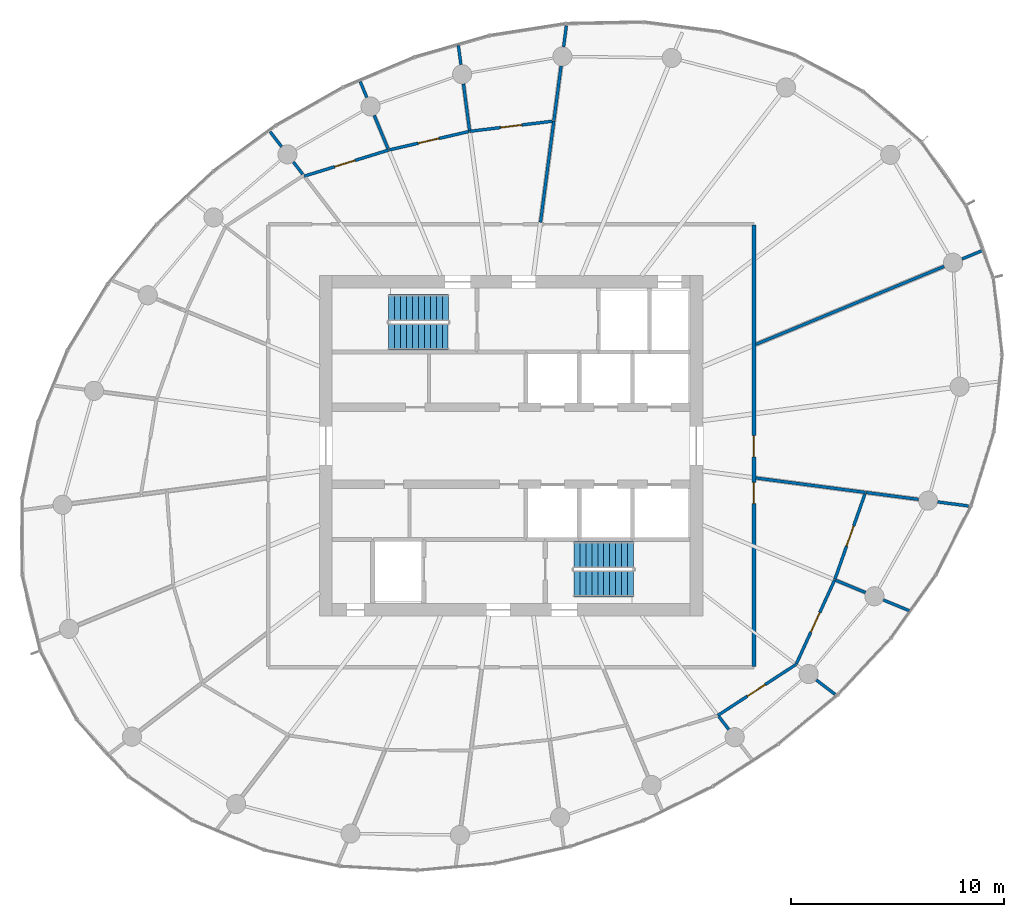
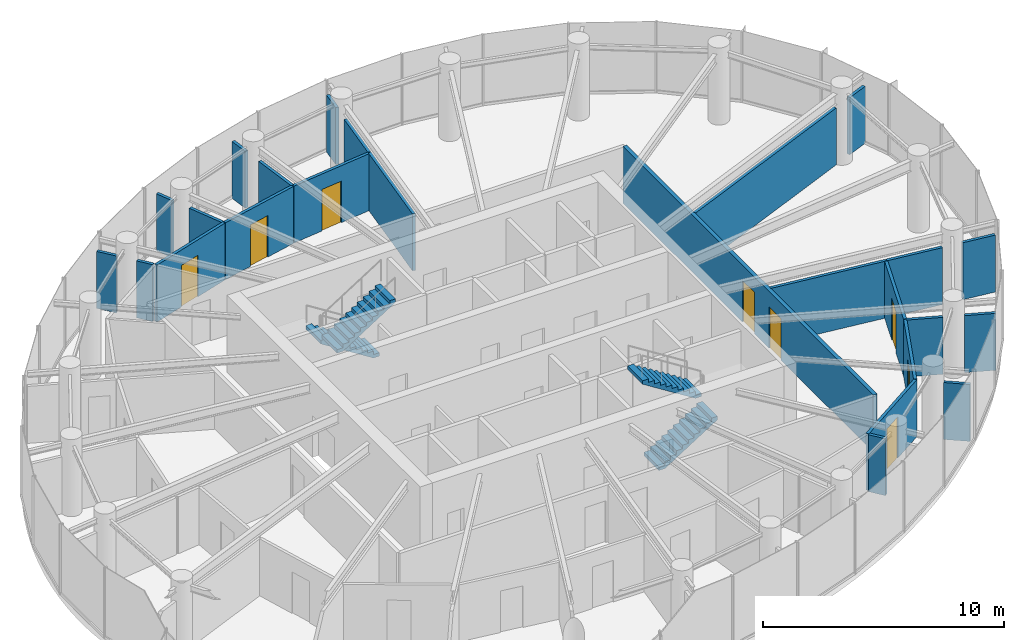
# One storey, part 11 of 13: 25 walls, 8 doors, 4 stair flights, 8 openings, 2 elements without a shape of their own.
"""IFC4 building model written with IfcOpenShell, lengths in metres."""

from ifc_helpers import new_model, si_unit, direction, frame, frame_2d, origin, place, context, subcontext, project, spatial, line, indexed_curve, rectangle, outline, extrude, source, transform, mapped, material, layer, layer_set, type_object, element, fill, aggregate, save


model = new_model("IFC4")

# Units and contexts
model_context = context("Model", 3, precision=1e-05, world=origin(), true_north=direction((0.0, 1.0)))
body_context = subcontext(model_context, "Body", "Model", "MODEL_VIEW")
ifc_project = project(units=[si_unit("LENGTHUNIT", "METRE"), si_unit("AREAUNIT", "SQUARE_METRE"), si_unit("VOLUMEUNIT", "CUBIC_METRE"), si_unit("PLANEANGLEUNIT", "RADIAN"), si_unit("MASSUNIT", "GRAM", prefix="KILO")], contexts=[model_context])

# Site, building, storey
site_placement = place(None, origin())
site = spatial("IfcSite", under=ifc_project, at=site_placement, CompositionType="ELEMENT")
building_placement = place(site_placement, origin())
building = spatial("IfcBuilding", under=site, at=building_placement, Name="Spindrift Exchange Tower", CompositionType="ELEMENT")
storey_placement = place(building_placement, frame((0.0, 0.0, 222.800048828125)))
storey = spatial("IfcBuildingStorey", under=building, at=storey_placement, Name="L54", CompositionType="ELEMENT", Elevation=222.800048828125)

# Wall, openings, doors
ifc_material_1 = material(Name="Fire-rated plasterboard partition", Category="gypsum")
ifc_layer_1 = layer(ifc_material_1, 0.179931640625)
ifc_layer_set_1 = layer_set([ifc_layer_1], Name="W-CORR-180")
wall_type_1 = type_object("IfcWallType", Name="W-CORR-180", PredefinedType="PARTITIONING", material=ifc_layer_set_1)
wall_1_placement = place(storey_placement, frame((63.39990234375, 58.3701171875, 0.0), z_axis=(0.0, 0.0, 1.0), x_axis=(0.0, -1.0, 0.0)))
wall_1 = element("IfcWall", 1, at=wall_1_placement, inside=storey, type_object=wall_type_1, Name="L54 Partition wall 29", PredefinedType="PARTITIONING", context=body_context, shape_type="SweptSolid", body=[
    extrude(rectangle(XDim=20.740234375, YDim=0.179931640625, at=frame_2d((10.3701171875, 0.0))), origin(), (0.0, 0.0, 1.0), 2.8798828125),
])
opening_1_placement = place(wall_1_placement, frame((12.090087890625, 0.0, 0.0)))
opening_1 = element("IfcOpeningElement", 2, at=opening_1_placement, cuts=wall_1, Name="Opening L54-D34", PredefinedType="OPENING", context=body_context, shape_type="SweptSolid", body=[
    extrude(rectangle(XDim=1.0, YDim=2.10009765625, at=frame_2d((0.5, 1.050048828125))), frame((0.0, 0.099853515625, 0.0), z_axis=(0.0, -1.0, 0.0), x_axis=(1.0, 0.0, 0.0)), (0.0, 0.0, 1.0), 0.199951171875),
])
opening_2_placement = place(wall_1_placement, frame((9.889892578125, 0.0, 0.0)))
opening_2 = element("IfcOpeningElement", 3, at=opening_2_placement, cuts=wall_1, Name="Opening L54-D39", PredefinedType="OPENING", context=body_context, shape_type="SweptSolid", body=[
    extrude(rectangle(XDim=1.0, YDim=2.10009765625, at=frame_2d((0.5, 1.050048828125))), frame((0.0, 0.099853515625, 0.0), z_axis=(0.0, -1.0, 0.0), x_axis=(1.0, 0.0, 0.0)), (0.0, 0.0, 1.0), 0.199951171875),
])
ifc_material_2 = material(Name="Timber-core fire door", Category="wood")
door_type = type_object("IfcDoorType", Name="DR-ROOM-1000", OperationType="NOTDEFINED", PredefinedType="DOOR", material=ifc_material_2)
shared_shape = source(origin(), body_context, "Body", "SweptSolid", [
    extrude(rectangle(XDim=1.0, YDim=2.10009765625, at=frame_2d((0.5, 1.050048828125))), frame((0.0, 0.02490234375, 0.0), z_axis=(0.0, -1.0, 0.0), x_axis=(1.0, 0.0, 0.0)), (0.0, 0.0, 1.0), 0.050048828125),
])
door_1_placement = place(opening_1_placement, origin())
door_1 = element("IfcDoor", 4, at=door_1_placement, inside=storey, type_object=door_type, Name="L54 Door 34", OperationType="SINGLE_SWING_RIGHT", OverallHeight=2.10009765625, OverallWidth=1.0, PredefinedType="DOOR", context=body_context, shape_type="MappedRepresentation", body=[
    mapped(shared_shape, transform((0.0, 0.0, 0.0), scale=1.0)),
])
fill(opening_1, door_1)
door_2_placement = place(opening_2_placement, origin())
door_2 = element("IfcDoor", 5, at=door_2_placement, inside=storey, type_object=door_type, Name="L54 Door 39", OperationType="SINGLE_SWING_LEFT", OverallHeight=2.10009765625, OverallWidth=1.0, PredefinedType="DOOR", context=body_context, shape_type="MappedRepresentation", body=[
    mapped(shared_shape, transform((0.0, 0.0, 0.0), scale=1.0)),
])
fill(opening_2, door_2)

# Walls
ifc_layer_2 = layer(ifc_material_1, 0.139892578125)
ifc_layer_set_2 = layer_set([ifc_layer_2], Name="W-PART-140")
wall_type_2 = type_object("IfcWallType", Name="W-PART-140", PredefinedType="PARTITIONING", material=ifc_layer_set_2)
wall_2_placement = place(storey_placement, frame((63.489990234375, 52.75927734375, 0.0), z_axis=(0.0, 0.0, 1.0), x_axis=(0.923877866197, 0.382687455178, 0.0)))
element("IfcWall", 6, at=wall_2_placement, inside=storey, type_object=wall_type_2, Name="L54 Partition wall 31", PredefinedType="PARTITIONING", context=body_context, shape_type="SweptSolid", body=[
    extrude(rectangle(XDim=9.5712890625, YDim=0.139892578125, at=frame_2d((4.78564453125, 0.0))), origin(), (0.0, 0.0, 1.0), 2.8798828125),
])
wall_3_placement = place(storey_placement, frame((63.489990234375, 46.4873046875, 0.0), z_axis=(0.0, 0.0, 1.0), x_axis=(0.991443732817, -0.130534764177, 0.0)))
element("IfcWall", 7, at=wall_3_placement, inside=storey, type_object=wall_type_2, Name="L54 Partition wall 32", PredefinedType="PARTITIONING", context=body_context, shape_type="SweptSolid", body=[
    extrude(rectangle(XDim=5.19384765625, YDim=0.139892578125, at=frame_2d((2.596923828125, 0.0))), origin(), (0.0, 0.0, 1.0), 2.8798828125),
])
wall_4_placement = place(storey_placement, frame((53.381103515625, 58.489990234375, 0.0), z_axis=(0.0, 0.0, 1.0), x_axis=(0.130490058015, 0.991449617862, 0.0)))
element("IfcWall", 8, at=wall_4_placement, inside=storey, type_object=wall_type_2, Name="L54 Partition wall 33", PredefinedType="PARTITIONING", context=body_context, shape_type="SweptSolid", body=[
    extrude(rectangle(XDim=4.797119140625, YDim=0.139892578125, at=frame_2d((2.3984375, 0.0))), origin(), (0.0, 0.0, 1.0), 2.8798828125),
])

# Wall, opening, door
wall_5_placement = place(storey_placement, frame((65.38037109375, 37.73291015625, 0.0), z_axis=(0.0, 0.0, 1.0), x_axis=(-0.83775367787, -0.546048326813, 0.0)))
wall_5 = element("IfcWall", 9, at=wall_5_placement, inside=storey, type_object=wall_type_2, Name="L54 Partition wall 43", PredefinedType="PARTITIONING", context=body_context, shape_type="SweptSolid", body=[
    extrude(rectangle(XDim=4.3779296875, YDim=0.139892578125, at=frame_2d((2.18896484375, 0.0))), origin(), (0.0, 0.0, 1.0), 2.8798828125),
])
opening_3_placement = place(wall_5_placement, frame((1.72802734375, 0.0, 0.0)))
opening_3 = element("IfcOpeningElement", 10, at=opening_3_placement, cuts=wall_5, Name="Opening L54-D36", PredefinedType="OPENING", context=body_context, shape_type="SweptSolid", body=[
    extrude(rectangle(XDim=1.0, YDim=2.10009765625, at=frame_2d((0.5, 1.050048828125))), frame((0.0, 0.079833984375, 0.0), z_axis=(0.0, -1.0, 0.0), x_axis=(1.0, 0.0, 0.0)), (0.0, 0.0, 1.0), 0.159912109375),
])
door_3_placement = place(opening_3_placement, origin())
door_3 = element("IfcDoor", 11, at=door_3_placement, inside=storey, type_object=door_type, Name="L54 Door 36", OperationType="SINGLE_SWING_RIGHT", OverallHeight=2.10009765625, OverallWidth=1.0, PredefinedType="DOOR", context=body_context, shape_type="MappedRepresentation", body=[
    mapped(shared_shape, transform((0.0, 0.0, 0.0), scale=1.0)),
])
fill(opening_3, door_3)

wall_6_placement = place(storey_placement, frame((67.195068359375, 41.7060546875, 0.0), z_axis=(0.0, 0.0, 1.0), x_axis=(-0.415511028403, -0.909588140465, 0.0)))
wall_6 = element("IfcWall", 12, at=wall_6_placement, inside=storey, type_object=wall_type_2, Name="L54 Partition wall 44", PredefinedType="PARTITIONING", context=body_context, shape_type="SweptSolid", body=[
    extrude(rectangle(XDim=4.337890625, YDim=0.139892578125, at=frame_2d((2.1689453125, 0.0))), origin(), (0.0, 0.0, 1.0), 2.8798828125),
])
opening_4_placement = place(wall_6_placement, frame((1.68798828125, 0.0, 0.0)))
opening_4 = element("IfcOpeningElement", 13, at=opening_4_placement, cuts=wall_6, Name="Opening L54-D37", PredefinedType="OPENING", context=body_context, shape_type="SweptSolid", body=[
    extrude(rectangle(XDim=1.0, YDim=2.10009765625, at=frame_2d((0.5, 1.050048828125))), frame((0.0, 0.079833984375, 0.0), z_axis=(0.0, -1.0, 0.0), x_axis=(1.0, 0.0, 0.0)), (0.0, 0.0, 1.0), 0.159912109375),
])
door_4_placement = place(opening_4_placement, origin())
door_4 = element("IfcDoor", 14, at=door_4_placement, inside=storey, type_object=door_type, Name="L54 Door 37", OperationType="SINGLE_SWING_LEFT", OverallHeight=2.10009765625, OverallWidth=1.0, PredefinedType="DOOR", context=body_context, shape_type="MappedRepresentation", body=[
    mapped(shared_shape, transform((0.0, 0.0, 0.0), scale=1.0)),
])
fill(opening_4, door_4)

wall_7_placement = place(storey_placement, frame((68.615478515625, 45.741943359375, 0.0), z_axis=(0.0, 0.0, 1.0), x_axis=(-0.331975337051, -0.94328806607, 0.0)))
wall_7 = element("IfcWall", 15, at=wall_7_placement, inside=storey, type_object=wall_type_2, Name="L54 Partition wall 46", PredefinedType="PARTITIONING", context=body_context, shape_type="SweptSolid", body=[
    extrude(rectangle(XDim=4.24853515625, YDim=0.139892578125, at=frame_2d((2.124267578125, 0.0))), origin(), (0.0, 0.0, 1.0), 2.8798828125),
])
opening_5_placement = place(wall_7_placement, frame((1.5986328125, 0.0, 0.0)))
opening_5 = element("IfcOpeningElement", 16, at=opening_5_placement, cuts=wall_7, Name="Opening L54-D38", PredefinedType="OPENING", context=body_context, shape_type="SweptSolid", body=[
    extrude(rectangle(XDim=1.0, YDim=2.10009765625, at=frame_2d((0.5, 1.050048828125))), frame((0.0, 0.079833984375, 0.0), z_axis=(0.0, -1.0, 0.0), x_axis=(1.0, 0.0, 0.0)), (0.0, 0.0, 1.0), 0.159912109375),
])
door_5_placement = place(opening_5_placement, origin())
door_5 = element("IfcDoor", 17, at=door_5_placement, inside=storey, type_object=door_type, Name="L54 Door 38", OperationType="SINGLE_SWING_RIGHT", OverallHeight=2.10009765625, OverallWidth=1.0, PredefinedType="DOOR", context=body_context, shape_type="MappedRepresentation", body=[
    mapped(shared_shape, transform((0.0, 0.0, 0.0), scale=1.0)),
])
fill(opening_5, door_5)

wall_8_placement = place(storey_placement, frame((42.287353515625, 60.65771484375, 0.0), z_axis=(0.0, 0.0, 1.0), x_axis=(0.955334971009, 0.295525114276, 0.0)))
wall_8 = element("IfcWall", 18, at=wall_8_placement, inside=storey, type_object=wall_type_2, Name="L54 Partition wall 47", PredefinedType="PARTITIONING", context=body_context, shape_type="SweptSolid", body=[
    extrude(rectangle(XDim=4.147216796875, YDim=0.139892578125, at=frame_2d((2.07373046875, 0.0))), origin(), (0.0, 0.0, 1.0), 2.8798828125),
])
opening_6_placement = place(wall_8_placement, frame((1.497314453125, 0.0, 0.0)))
opening_6 = element("IfcOpeningElement", 19, at=opening_6_placement, cuts=wall_8, Name="Opening L54-D44", PredefinedType="OPENING", context=body_context, shape_type="SweptSolid", body=[
    extrude(rectangle(XDim=1.0, YDim=2.10009765625, at=frame_2d((0.5, 1.050048828125))), frame((0.0, 0.079833984375, 0.0), z_axis=(0.0, -1.0, 0.0), x_axis=(1.0, 0.0, 0.0)), (0.0, 0.0, 1.0), 0.159912109375),
])
door_6_placement = place(opening_6_placement, origin())
door_6 = element("IfcDoor", 20, at=door_6_placement, inside=storey, type_object=door_type, Name="L54 Door 44", OperationType="SINGLE_SWING_RIGHT", OverallHeight=2.10009765625, OverallWidth=1.0, PredefinedType="DOOR", context=body_context, shape_type="MappedRepresentation", body=[
    mapped(shared_shape, transform((0.0, 0.0, 0.0), scale=1.0)),
])
fill(opening_6, door_6)

wall_9_placement = place(storey_placement, frame((50.056396484375, 62.76220703125, 0.0), z_axis=(0.0, 0.0, 1.0), x_axis=(0.99258238902, 0.121573850015, 0.0)))
wall_9 = element("IfcWall", 21, at=wall_9_placement, inside=storey, type_object=wall_type_2, Name="L54 Partition wall 51", PredefinedType="PARTITIONING", context=body_context, shape_type="SweptSolid", body=[
    extrude(rectangle(XDim=3.907958984375, YDim=0.139892578125, at=frame_2d((1.9541015625, 0.0))), origin(), (0.0, 0.0, 1.0), 2.8798828125),
])
opening_7_placement = place(wall_9_placement, frame((1.4580078125, 0.0, 0.0)))
opening_7 = element("IfcOpeningElement", 22, at=opening_7_placement, cuts=wall_9, Name="Opening L54-D42", PredefinedType="OPENING", context=body_context, shape_type="SweptSolid", body=[
    extrude(rectangle(XDim=1.0, YDim=2.10009765625, at=frame_2d((0.5, 1.050048828125))), frame((0.0, 0.079833984375, 0.0), z_axis=(0.0, -1.0, 0.0), x_axis=(1.0, 0.0, 0.0)), (0.0, 0.0, 1.0), 0.159912109375),
])
door_7_placement = place(opening_7_placement, origin())
door_7 = element("IfcDoor", 23, at=door_7_placement, inside=storey, type_object=door_type, Name="L54 Door 42", OperationType="SINGLE_SWING_RIGHT", OverallHeight=2.10009765625, OverallWidth=1.0, PredefinedType="DOOR", context=body_context, shape_type="MappedRepresentation", body=[
    mapped(shared_shape, transform((0.0, 0.0, 0.0), scale=1.0)),
])
fill(opening_7, door_7)

wall_10_placement = place(storey_placement, frame((46.278564453125, 61.89013671875, 0.0), z_axis=(0.0, 0.0, 1.0), x_axis=(0.974383708643, 0.224891948123, 0.0)))
wall_10 = element("IfcWall", 24, at=wall_10_placement, inside=storey, type_object=wall_type_2, Name="L54 Partition wall 53", PredefinedType="PARTITIONING", context=body_context, shape_type="SweptSolid", body=[
    extrude(rectangle(XDim=3.847412109375, YDim=0.139892578125, at=frame_2d((1.923828125, 0.0))), origin(), (0.0, 0.0, 1.0), 2.8798828125),
])
opening_8_placement = place(wall_10_placement, frame((1.397216796875, 0.0, 0.0)))
opening_8 = element("IfcOpeningElement", 25, at=opening_8_placement, cuts=wall_10, Name="Opening L54-D43", PredefinedType="OPENING", context=body_context, shape_type="SweptSolid", body=[
    extrude(rectangle(XDim=1.0, YDim=2.10009765625, at=frame_2d((0.5, 1.050048828125))), frame((0.0, 0.079833984375, 0.0), z_axis=(0.0, -1.0, 0.0), x_axis=(1.0, 0.0, 0.0)), (0.0, 0.0, 1.0), 0.159912109375),
])
door_8_placement = place(opening_8_placement, origin())
door_8 = element("IfcDoor", 26, at=door_8_placement, inside=storey, type_object=door_type, Name="L54 Door 43", OperationType="SINGLE_SWING_LEFT", OverallHeight=2.10009765625, OverallWidth=1.0, PredefinedType="DOOR", context=body_context, shape_type="MappedRepresentation", body=[
    mapped(shared_shape, transform((0.0, 0.0, 0.0), scale=1.0)),
])
fill(opening_8, door_8)

# Walls
wall_11_placement = place(storey_placement, frame((54.010986328125, 63.27587890625, 0.0), z_axis=(0.0, 0.0, 1.0), x_axis=(0.130616456633, 0.991432973658, 0.0)))
element("IfcWall", 27, at=wall_11_placement, inside=storey, type_object=wall_type_2, Name="L54 Partition wall 65", PredefinedType="PARTITIONING", context=body_context, shape_type="SweptSolid", body=[
    extrude(rectangle(XDim=2.57373046875, YDim=0.139892578125, at=frame_2d((1.286865234375, 0.0))), origin(), (0.0, 0.0, 1.0), 2.8798828125),
])
wall_12_placement = place(storey_placement, frame((68.6689453125, 45.805419921875, 0.0), z_axis=(0.0, 0.0, 1.0), x_axis=(0.991448939308, -0.130495213495, 0.0)))
element("IfcWall", 28, at=wall_12_placement, inside=storey, type_object=wall_type_2, Name="L54 Partition wall 67", PredefinedType="PARTITIONING", context=body_context, shape_type="SweptSolid", body=[
    extrude(rectangle(XDim=2.482666015625, YDim=0.139892578125, at=frame_2d((1.2412109375, 0.0))), origin(), (0.0, 0.0, 1.0), 2.8798828125),
])
wall_13_placement = place(storey_placement, frame((50.052490234375, 62.791748046875, 0.0), z_axis=(0.0, 0.0, 1.0), x_axis=(-0.130477279337, 0.99145129965, 0.0)))
element("IfcWall", 29, at=wall_13_placement, inside=storey, type_object=wall_type_2, Name="L54 Partition wall 70", PredefinedType="PARTITIONING", context=body_context, shape_type="SweptSolid", body=[
    extrude(rectangle(XDim=2.21923828125, YDim=0.139892578125, at=frame_2d((1.109619140625, 0.0))), origin(), (0.0, 0.0, 1.0), 2.8798828125),
])
wall_14_placement = place(storey_placement, frame((46.222412109375, 61.9482421875, 0.0), z_axis=(0.0, 0.0, 1.0), x_axis=(-0.382636491463, 0.923898974672, 0.0)))
element("IfcWall", 30, at=wall_14_placement, inside=storey, type_object=wall_type_2, Name="L54 Partition wall 71", PredefinedType="PARTITIONING", context=body_context, shape_type="SweptSolid", body=[
    extrude(rectangle(XDim=1.69140625, YDim=0.139892578125, at=frame_2d((0.845703125, 0.0))), origin(), (0.0, 0.0, 1.0), 2.8798828125),
])
wall_15_placement = place(storey_placement, frame((67.222900390625, 41.694580078125, 0.0), z_axis=(0.0, 0.0, 1.0), x_axis=(0.923847917348, -0.382759749205, 0.0)))
element("IfcWall", 31, at=wall_15_placement, inside=storey, type_object=wall_type_2, Name="L54 Partition wall 73", PredefinedType="PARTITIONING", context=body_context, shape_type="SweptSolid", body=[
    extrude(rectangle(XDim=1.53271484375, YDim=0.139892578125, at=frame_2d((0.766357421875, 0.0))), origin(), (0.0, 0.0, 1.0), 2.8798828125),
])
wall_16_placement = place(storey_placement, frame((72.031494140625, 45.36279296875, 0.0), z_axis=(0.0, 0.0, 1.0), x_axis=(0.991438884998, -0.130571579275, 0.0)))
element("IfcWall", 32, at=wall_16_placement, inside=storey, type_object=wall_type_2, Name="L54 Partition wall 75", PredefinedType="PARTITIONING", context=body_context, shape_type="SweptSolid", body=[
    extrude(rectangle(XDim=1.45654296875, YDim=0.139892578125, at=frame_2d((0.728271484375, 0.0))), origin(), (0.0, 0.0, 1.0), 2.8798828125),
])
wall_17_placement = place(storey_placement, frame((69.479736328125, 40.759521484375, 0.0), z_axis=(0.0, 0.0, 1.0), x_axis=(0.923901775897, -0.382629727666, 0.0)))
element("IfcWall", 33, at=wall_17_placement, inside=storey, type_object=wall_type_2, Name="L54 Partition wall 78", PredefinedType="PARTITIONING", context=body_context, shape_type="SweptSolid", body=[
    extrude(rectangle(XDim=1.31884765625, YDim=0.139892578125, at=frame_2d((0.659423828125, 0.0))), origin(), (0.0, 0.0, 1.0), 2.8798828125),
])
wall_18_placement = place(storey_placement, frame((66.33154296875, 37.0029296875, 0.0), z_axis=(0.0, 0.0, 1.0), x_axis=(0.793403619358, -0.608695898449, 0.0)))
element("IfcWall", 34, at=wall_18_placement, inside=storey, type_object=wall_type_2, Name="L54 Partition wall 81", PredefinedType="PARTITIONING", context=body_context, shape_type="SweptSolid", body=[
    extrude(rectangle(XDim=1.10498046875, YDim=0.139892578125, at=frame_2d((0.552490234375, 0.0))), origin(), (0.0, 0.0, 1.0), 2.8798828125),
])
wall_19_placement = place(storey_placement, frame((73.173583984375, 56.770263671875, 0.0), z_axis=(0.0, 0.0, 1.0), x_axis=(0.92384548676, 0.382765615741, 0.0)))
element("IfcWall", 35, at=wall_19_placement, inside=storey, type_object=wall_type_2, Name="L54 Partition wall 83", PredefinedType="PARTITIONING", context=body_context, shape_type="SweptSolid", body=[
    extrude(rectangle(XDim=1.059326171875, YDim=0.139892578125, at=frame_2d((0.52978515625, 0.0))), origin(), (0.0, 0.0, 1.0), 2.8798828125),
])
wall_20_placement = place(storey_placement, frame((54.4658203125, 66.72900390625, 0.0), z_axis=(0.0, 0.0, 1.0), x_axis=(0.130498763634, 0.99144847203, 0.0)))
element("IfcWall", 36, at=wall_20_placement, inside=storey, type_object=wall_type_2, Name="L54 Partition wall 86", PredefinedType="PARTITIONING", context=body_context, shape_type="SweptSolid", body=[
    extrude(rectangle(XDim=0.9990234375, YDim=0.139892578125, at=frame_2d((0.49951171875, 0.0))), origin(), (0.0, 0.0, 1.0), 2.8798828125),
])
wall_21_placement = place(storey_placement, frame((49.644287109375, 65.89306640625, 0.0), z_axis=(0.0, 0.0, 1.0), x_axis=(-0.130552399509, 0.991441410766, 0.0)))
element("IfcWall", 37, at=wall_21_placement, inside=storey, type_object=wall_type_2, Name="L54 Partition wall 90", PredefinedType="PARTITIONING", context=body_context, shape_type="SweptSolid", body=[
    extrude(rectangle(XDim=0.9033203125, YDim=0.139892578125, at=frame_2d((0.45166015625, 0.0))), origin(), (0.0, 0.0, 1.0), 2.8798828125),
])
wall_22_placement = place(storey_placement, frame((41.22412109375, 62.043701171875, 0.0), z_axis=(0.0, 0.0, 1.0), x_axis=(-0.608973072877, 0.793190895378, 0.0)))
element("IfcWall", 38, at=wall_22_placement, inside=storey, type_object=wall_type_2, Name="L54 Partition wall 91", PredefinedType="PARTITIONING", context=body_context, shape_type="SweptSolid", body=[
    extrude(rectangle(XDim=0.8798828125, YDim=0.139892578125, at=frame_2d((0.43994140625, 0.0))), origin(), (0.0, 0.0, 1.0), 2.8798828125),
])
wall_23_placement = place(storey_placement, frame((61.75537109375, 35.28662109375, 0.0), z_axis=(0.0, 0.0, 1.0), x_axis=(0.608665182247, -0.793427183754, 0.0)))
element("IfcWall", 39, at=wall_23_placement, inside=storey, type_object=wall_type_2, Name="L54 Partition wall 93", PredefinedType="PARTITIONING", context=body_context, shape_type="SweptSolid", body=[
    extrude(rectangle(XDim=0.767822265625, YDim=0.139892578125, at=frame_2d((0.3837890625, 0.0))), origin(), (0.0, 0.0, 1.0), 2.8798828125),
])
wall_24_placement = place(storey_placement, frame((45.226806640625, 64.351806640625, 0.0), z_axis=(0.0, 0.0, 1.0), x_axis=(-0.382556243331, 0.923932205678, 0.0)))
element("IfcWall", 40, at=wall_24_placement, inside=storey, type_object=wall_type_2, Name="L54 Partition wall 95", PredefinedType="PARTITIONING", context=body_context, shape_type="SweptSolid", body=[
    extrude(rectangle(XDim=0.80859375, YDim=0.139892578125, at=frame_2d((0.404296875, 0.0))), origin(), (0.0, 0.0, 1.0), 2.8798828125),
])
wall_25_placement = place(storey_placement, frame((42.217041015625, 60.749267578125, 0.0), z_axis=(0.0, 0.0, 1.0), x_axis=(-0.608615982895, 0.79346492384, 0.0)))
element("IfcWall", 41, at=wall_25_placement, inside=storey, type_object=wall_type_2, Name="L54 Partition wall 97", PredefinedType="PARTITIONING", context=body_context, shape_type="SweptSolid", body=[
    extrude(rectangle(XDim=0.722412109375, YDim=0.139892578125, at=frame_2d((0.361328125, 0.0))), origin(), (0.0, 0.0, 1.0), 2.8798828125),
])

# Stair, stair flights
ifc_material_3 = material(Name="Concrete 50 MPa", Category="concrete")
stair_type = type_object("IfcStairType", Name="ST-1250-R177", PredefinedType="HALF_TURN_STAIR", material=ifc_material_3)
stair_1_placement = place(storey_placement, origin())
stair_1 = element("IfcStair", 42, at=stair_1_placement, inside=storey, type_object=stair_type, Name="L54 Exit stair ST1", PredefinedType="HALF_TURN_STAIR")
stair_flight_type = type_object("IfcStairFlightType", Name="STF-1250-R177", PredefinedType="STRAIGHT", material=ifc_material_3)
stair_flight_1_placement = place(storey_placement, frame((49.050048828125, 54.47509765625, 0.0), z_axis=(0.0, 0.0, 1.0), x_axis=(-1.0, 0.0, 0.0)))
stair_flight_1 = element("IfcStairFlight", 43, at=stair_flight_1_placement, type_object=stair_flight_type, Name="ST1 flight 1", NumberOfRisers=11, NumberOfTreads=10, PredefinedType="STRAIGHT", RiserHeight=0.177272727, TreadLength=0.28, context=body_context, shape_type="SweptSolid", body=[
    extrude(outline(indexed_curve([(0.0, 0.0), (0.0, 0.177734375), (0.2802734375, 0.177734375), (0.2802734375, 0.3544921875), (0.5595703125, 0.3544921875), (0.5595703125, 0.5322265625), (0.83984375, 0.5322265625), (0.83984375, 0.708984375), (1.1201171875, 0.708984375), (1.1201171875, 0.88671875), (1.400390625, 0.88671875), (1.400390625, 1.0634765625), (1.6796875, 1.0634765625), (1.6796875, 1.2412109375), (1.9599609375, 1.2412109375), (1.9599609375, 1.41796875), (2.240234375, 1.41796875), (2.240234375, 1.595703125), (2.51953125, 1.595703125), (2.51953125, 1.7724609375), (2.7998046875, 1.7724609375), (2.7998046875, 1.9501953125), (2.7998046875, 1.595703125), (0.2802734375, 0.0)], segments=[line(1, 2, 3, 4, 5, 6, 7, 8, 9, 10, 11, 12, 13, 14, 15, 16, 17, 18, 19, 20, 21, 22, 23, 24, 1)], self_intersect=False)), frame((0.0, 0.625, 0.0), z_axis=(0.0, -1.0, 0.0), x_axis=(1.0, 0.0, 0.0)), (0.0, 0.0, 1.0), 1.25),
])
stair_flight_2_placement = place(storey_placement, frame((46.25, 53.125, 1.949951171875), z_axis=(0.0, 0.0, 1.0), x_axis=(1.0, 0.0, 0.0)))
stair_flight_2 = element("IfcStairFlight", 44, at=stair_flight_2_placement, type_object=stair_flight_type, Name="ST1 flight 2", NumberOfRisers=11, NumberOfTreads=10, PredefinedType="STRAIGHT", RiserHeight=0.177272727, TreadLength=0.28, context=body_context, shape_type="SweptSolid", body=[
    extrude(outline(indexed_curve([(0.0, 0.0), (0.0, 0.177734375), (0.2802734375, 0.177734375), (0.2802734375, 0.3544921875), (0.5595703125, 0.3544921875), (0.5595703125, 0.5322265625), (0.83984375, 0.5322265625), (0.83984375, 0.708984375), (1.1201171875, 0.708984375), (1.1201171875, 0.88671875), (1.400390625, 0.88671875), (1.400390625, 1.0634765625), (1.6796875, 1.0634765625), (1.6796875, 1.2412109375), (1.9599609375, 1.2412109375), (1.9599609375, 1.41796875), (2.240234375, 1.41796875), (2.240234375, 1.595703125), (2.51953125, 1.595703125), (2.51953125, 1.7724609375), (2.7998046875, 1.7724609375), (2.7998046875, 1.9501953125), (2.7998046875, 1.595703125), (0.2802734375, 0.0)], segments=[line(1, 2, 3, 4, 5, 6, 7, 8, 9, 10, 11, 12, 13, 14, 15, 16, 17, 18, 19, 20, 21, 22, 23, 24, 1)], self_intersect=False)), frame((0.0, 0.625, 0.0), z_axis=(0.0, -1.0, 0.0), x_axis=(1.0, 0.0, 0.0)), (0.0, 0.0, 1.0), 1.25),
])
aggregate(stair_1, [stair_flight_1, stair_flight_2])

stair_2_placement = place(storey_placement, origin())
stair_2 = element("IfcStair", 45, at=stair_2_placement, inside=storey, type_object=stair_type, Name="L54 Exit stair ST2", PredefinedType="HALF_TURN_STAIR")
stair_flight_3_placement = place(storey_placement, frame((54.949951171875, 41.52490234375, 0.0), z_axis=(0.0, 0.0, 1.0), x_axis=(1.0, 0.0, 0.0)))
stair_flight_3 = element("IfcStairFlight", 46, at=stair_flight_3_placement, type_object=stair_flight_type, Name="ST2 flight 1", NumberOfRisers=11, NumberOfTreads=10, PredefinedType="STRAIGHT", RiserHeight=0.177272727, TreadLength=0.28, context=body_context, shape_type="SweptSolid", body=[
    extrude(outline(indexed_curve([(0.0, 0.0), (0.0, 0.177734375), (0.2802734375, 0.177734375), (0.2802734375, 0.3544921875), (0.5595703125, 0.3544921875), (0.5595703125, 0.5322265625), (0.83984375, 0.5322265625), (0.83984375, 0.708984375), (1.1201171875, 0.708984375), (1.1201171875, 0.88671875), (1.400390625, 0.88671875), (1.400390625, 1.0634765625), (1.6796875, 1.0634765625), (1.6796875, 1.2412109375), (1.9599609375, 1.2412109375), (1.9599609375, 1.41796875), (2.240234375, 1.41796875), (2.240234375, 1.595703125), (2.51953125, 1.595703125), (2.51953125, 1.7724609375), (2.7998046875, 1.7724609375), (2.7998046875, 1.9501953125), (2.7998046875, 1.595703125), (0.2802734375, 0.0)], segments=[line(1, 2, 3, 4, 5, 6, 7, 8, 9, 10, 11, 12, 13, 14, 15, 16, 17, 18, 19, 20, 21, 22, 23, 24, 1)], self_intersect=False)), frame((0.0, 0.625, 0.0), z_axis=(0.0, -1.0, 0.0), x_axis=(1.0, 0.0, 0.0)), (0.0, 0.0, 1.0), 1.25),
])
stair_flight_4_placement = place(storey_placement, frame((57.75, 42.875, 1.949951171875), z_axis=(0.0, 0.0, 1.0), x_axis=(-1.0, 0.0, 0.0)))
stair_flight_4 = element("IfcStairFlight", 47, at=stair_flight_4_placement, type_object=stair_flight_type, Name="ST2 flight 2", NumberOfRisers=11, NumberOfTreads=10, PredefinedType="STRAIGHT", RiserHeight=0.177272727, TreadLength=0.28, context=body_context, shape_type="SweptSolid", body=[
    extrude(outline(indexed_curve([(0.0, 0.0), (0.0, 0.177734375), (0.2802734375, 0.177734375), (0.2802734375, 0.3544921875), (0.5595703125, 0.3544921875), (0.5595703125, 0.5322265625), (0.83984375, 0.5322265625), (0.83984375, 0.708984375), (1.1201171875, 0.708984375), (1.1201171875, 0.88671875), (1.400390625, 0.88671875), (1.400390625, 1.0634765625), (1.6796875, 1.0634765625), (1.6796875, 1.2412109375), (1.9599609375, 1.2412109375), (1.9599609375, 1.41796875), (2.240234375, 1.41796875), (2.240234375, 1.595703125), (2.51953125, 1.595703125), (2.51953125, 1.7724609375), (2.7998046875, 1.7724609375), (2.7998046875, 1.9501953125), (2.7998046875, 1.595703125), (0.2802734375, 0.0)], segments=[line(1, 2, 3, 4, 5, 6, 7, 8, 9, 10, 11, 12, 13, 14, 15, 16, 17, 18, 19, 20, 21, 22, 23, 24, 1)], self_intersect=False)), frame((0.0, 0.625, 0.0), z_axis=(0.0, -1.0, 0.0), x_axis=(1.0, 0.0, 0.0)), (0.0, 0.0, 1.0), 1.25),
])
aggregate(stair_2, [stair_flight_3, stair_flight_4])

save(model, "model.ifc")
